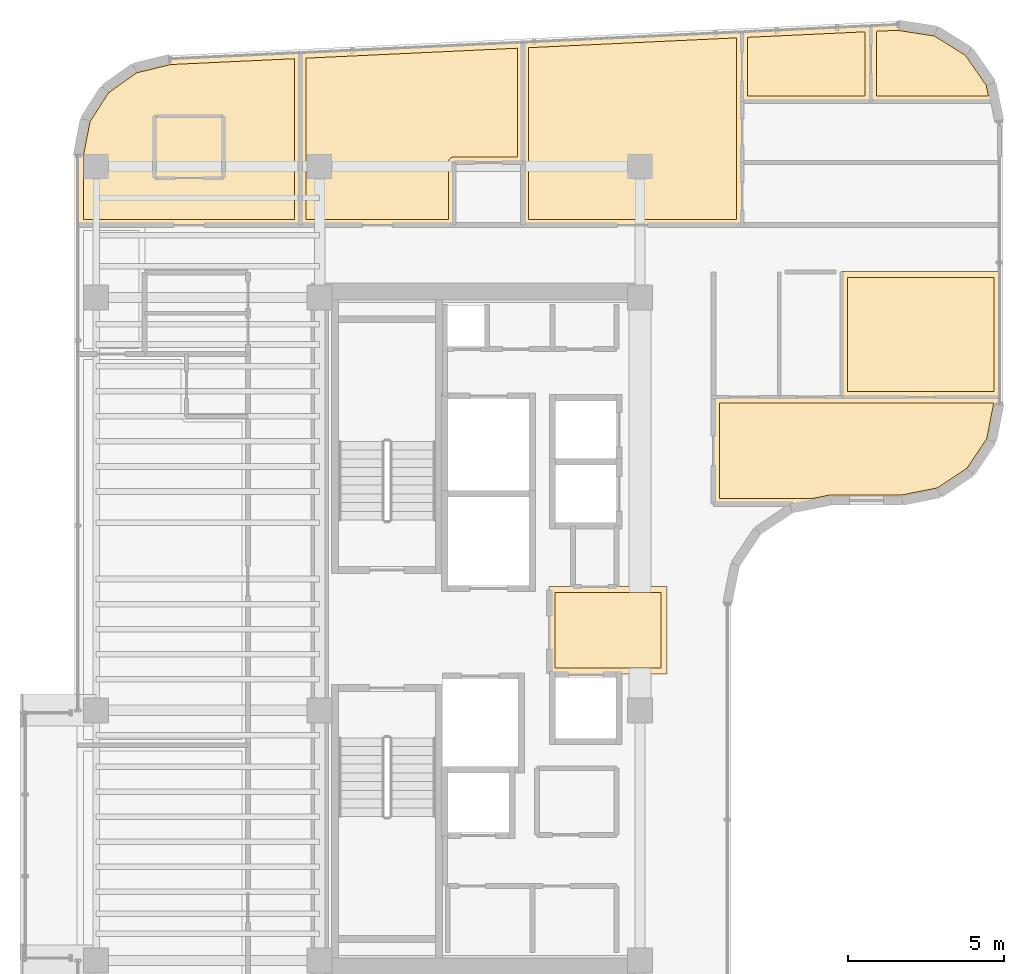
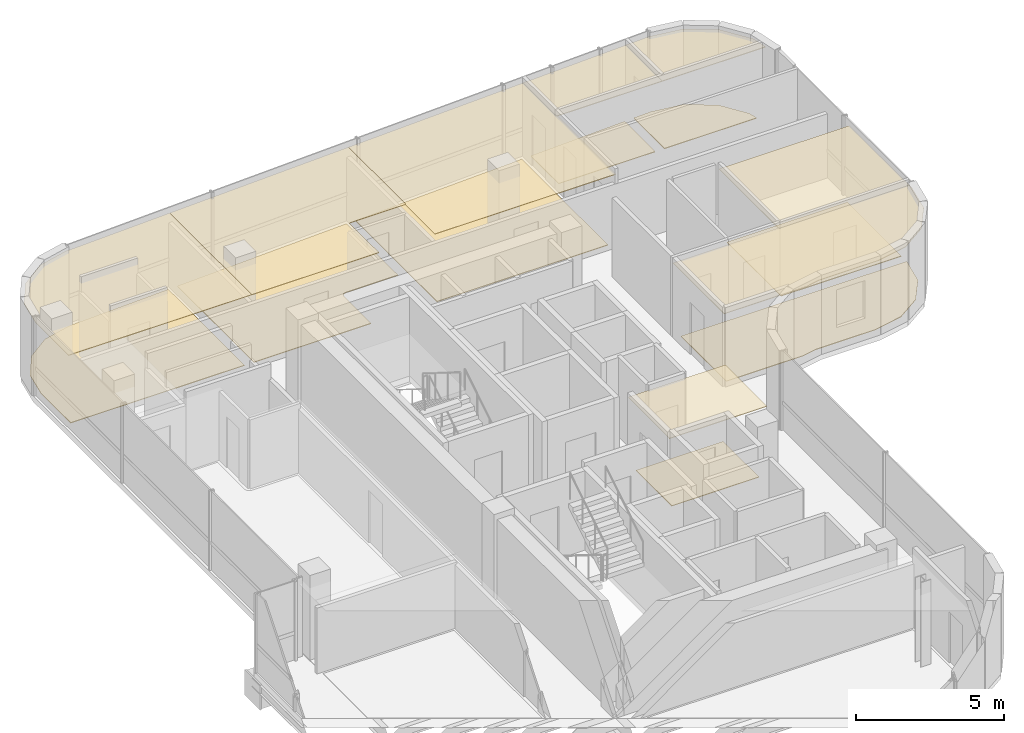
# One storey, part 19 of 19: 16 coverings.
"""IFC4 building model written with IfcOpenShell, lengths in metres."""

from ifc_helpers import new_model, si_unit, direction, frame, origin, place, context, subcontext, project, spatial, polyline, outline, extrude, material, layer, layer_set, type_object, element, save


model = new_model("IFC4")

# Units and contexts
model_context = context("Model", 3, precision=1e-05, world=origin(), true_north=direction((0.0, 1.0)))
body_context = subcontext(model_context, "Body", "Model", "MODEL_VIEW")
ifc_project = project(units=[si_unit("LENGTHUNIT", "METRE"), si_unit("AREAUNIT", "SQUARE_METRE"), si_unit("VOLUMEUNIT", "CUBIC_METRE"), si_unit("PLANEANGLEUNIT", "RADIAN"), si_unit("MASSUNIT", "GRAM", prefix="KILO")], contexts=[model_context])

# Site, building, storey
site_placement = place(None, origin())
site = spatial("IfcSite", under=ifc_project, at=site_placement, CompositionType="ELEMENT")
building_placement = place(site_placement, origin())
building = spatial("IfcBuilding", under=site, at=building_placement, Name="Valdorenza Pilgrim Sanctuary Tower", CompositionType="ELEMENT")
storey_placement = place(building_placement, frame((0.0, 0.0, 266.0)))
storey = spatial("IfcBuildingStorey", under=building, at=storey_placement, Name="L69", CompositionType="ELEMENT", Elevation=266.0)

# Coverings
ifc_material_1 = material(Name="Micro-perforated acoustic mineral ceiling tile", Category="gypsum")
ifc_layer_1 = layer(ifc_material_1, 0.02490234375, Name="Micro-perforated acoustic mineral ceiling tile")
ifc_layer_set_1 = layer_set([ifc_layer_1], Name="Micro-perforated acoustic mineral ceiling tile")
covering_type_1 = type_object("IfcCoveringType", Name="COV-CLG-ACU", PredefinedType="CEILING", material=ifc_layer_set_1)
covering_1_placement = place(storey_placement, frame((0.0, 0.0, 2.9599609375)))
element("IfcCovering", 1, at=covering_1_placement, inside=storey, type_object=covering_type_1, Name="L69 Core A Passenger Lift Lobby Acoustic Ceiling", PredefinedType="CEILING", context=body_context, shape_type="SweptSolid", body=[
    extrude(outline(polyline([(-15.31494140625, 1.35009765625), (-15.31494140625, 1.3515625), (-15.314697265625, 1.352783203125), (-15.314453125, 1.3544921875), (-15.31396484375, 1.355712890625), (-15.313232421875, 1.357177734375), (-15.3125, 1.3583984375), (-15.3115234375, 1.359619140625), (-15.310546875, 1.360595703125), (-15.3095703125, 1.361572265625), (-15.308349609375, 1.362548828125), (-15.30712890625, 1.36328125), (-15.3056640625, 1.364013671875), (-15.304443359375, 1.364501953125), (-15.302978515625, 1.36474609375), (-15.301513671875, 1.364990234375), (-15.300048828125, 1.364990234375), (-11.550048828125, 1.364990234375), (-11.548583984375, 1.364990234375), (-11.547119140625, 1.36474609375), (-11.545654296875, 1.364501953125), (-11.544189453125, 1.364013671875), (-11.54296875, 1.36328125), (-11.541748046875, 1.362548828125), (-11.54052734375, 1.361572265625), (-11.539306640625, 1.360595703125), (-11.538330078125, 1.359619140625), (-11.53759765625, 1.3583984375), (-11.536865234375, 1.357177734375), (-11.5361328125, 1.355712890625), (-11.53564453125, 1.3544921875), (-11.535400390625, 1.352783203125), (-11.53515625, 1.3515625), (-11.534912109375, 1.35009765625), (-11.534912109375, -1.419921875), (-11.53515625, -1.42138671875), (-11.535400390625, -1.4228515625), (-11.53564453125, -1.42431640625), (-11.5361328125, -1.42578125), (-11.536865234375, -1.427001953125), (-11.53759765625, -1.42822265625), (-11.538330078125, -1.429443359375), (-11.539306640625, -1.4306640625), (-11.54052734375, -1.431640625), (-11.541748046875, -1.4326171875), (-11.54296875, -1.43310546875), (-11.544189453125, -1.433837890625), (-11.545654296875, -1.434326171875), (-11.547119140625, -1.434814453125), (-11.548583984375, -1.434814453125), (-11.550048828125, -1.43505859375), (-15.298095703125, -1.43505859375), (-15.299560546875, -1.434814453125), (-15.30078125, -1.434814453125), (-15.302490234375, -1.434326171875), (-15.3037109375, -1.433837890625), (-15.30517578125, -1.43310546875), (-15.306396484375, -1.4326171875), (-15.3076171875, -1.431640625), (-15.30859375, -1.4306640625), (-15.3095703125, -1.429443359375), (-15.310546875, -1.42822265625), (-15.311279296875, -1.427001953125), (-15.31201171875, -1.42578125), (-15.3125, -1.42431640625), (-15.312744140625, -1.4228515625), (-15.31298828125, -1.42138671875), (-15.31298828125, -1.419921875), (-15.31298828125, 1.244384765625), (-15.31298828125, 1.24462890625), (-15.313720703125, 1.24609375), (-15.314208984375, 1.24755859375), (-15.314697265625, 1.2490234375), (-15.31494140625, 1.25048828125), (-15.31494140625, 1.251953125), (-15.31494140625, 1.35009765625)])), origin(), (0.0, 0.0, 1.0), 0.025146484375),
])
covering_2_placement = place(storey_placement, frame((0.0, 0.0, 2.9599609375)))
element("IfcCovering", 2, at=covering_2_placement, inside=storey, type_object=covering_type_1, Name="L69 North Family Guest Room L69-N1A Acoustic Ceiling", PredefinedType="CEILING", context=body_context, shape_type="SweptSolid", body=[
    extrude(outline(polyline([(-30.181396484375, 16.298095703125), (-30.180908203125, 16.299560546875), (-30.180419921875, 16.30078125), (-30.179931640625, 16.30224609375), (-30.17919921875, 16.303466796875), (-29.547119140625, 17.286865234375), (-29.546142578125, 17.2880859375), (-29.545166015625, 17.2890625), (-29.544189453125, 17.2900390625), (-29.54296875, 17.291015625), (-28.59033203125, 17.968994140625), (-28.589111328125, 17.9697265625), (-28.587890625, 17.97021484375), (-28.586669921875, 17.970947265625), (-28.585205078125, 17.97119140625), (-27.438720703125, 18.248779296875), (-27.437255859375, 18.249267578125), (-27.435791015625, 18.249267578125), (-23.270751953125, 18.445556640625), (-23.269287109375, 18.445556640625), (-23.267578125, 18.445556640625), (-23.26611328125, 18.4453125), (-23.264892578125, 18.444580078125), (-23.263427734375, 18.444091796875), (-23.261962890625, 18.443359375), (-23.2607421875, 18.4423828125), (-23.259521484375, 18.44140625), (-23.258544921875, 18.4404296875), (-23.2578125, 18.439208984375), (-23.2568359375, 18.43798828125), (-23.256103515625, 18.4365234375), (-23.255615234375, 18.43505859375), (-23.25537109375, 18.43359375), (-23.255126953125, 18.43212890625), (-23.2548828125, 18.4306640625), (-23.2548828125, 12.919921875), (-23.255126953125, 12.91845703125), (-23.25537109375, 12.9169921875), (-23.255615234375, 12.91552734375), (-23.256103515625, 12.914306640625), (-23.2568359375, 12.912841796875), (-23.257568359375, 12.91162109375), (-23.25830078125, 12.910400390625), (-23.259521484375, 12.909423828125), (-23.260498046875, 12.908447265625), (-23.26171875, 12.907470703125), (-23.262939453125, 12.90673828125), (-23.264404296875, 12.906005859375), (-23.265625, 12.905517578125), (-23.26708984375, 12.9052734375), (-23.2685546875, 12.905029296875), (-23.27001953125, 12.905029296875), (-28.248046875, 12.905029296875), (-28.24951171875, 12.905029296875), (-28.250732421875, 12.9052734375), (-28.252197265625, 12.905517578125), (-28.253662109375, 12.906005859375), (-28.2548828125, 12.90673828125), (-28.25537109375, 12.906982421875), (-30.389892578125, 12.906982421875), (-30.3916015625, 12.906982421875), (-30.392822265625, 12.9072265625), (-30.394287109375, 12.90771484375), (-30.395751953125, 12.908203125), (-30.397216796875, 12.90869140625), (-30.398193359375, 12.909423828125), (-30.3994140625, 12.910400390625), (-30.400634765625, 12.911376953125), (-30.401611328125, 12.91259765625), (-30.402587890625, 12.913818359375), (-30.4033203125, 12.914794921875), (-30.40380859375, 12.916259765625), (-30.404296875, 12.91748046875), (-30.40478515625, 12.919189453125), (-30.40478515625, 12.92041015625), (-30.405029296875, 12.922119140625), (-30.405029296875, 15.13671875), (-30.40478515625, 15.13818359375), (-30.40478515625, 15.1396484375), (-30.181396484375, 16.298095703125)])), origin(), (0.0, 0.0, 1.0), 0.025146484375),
])
covering_3_placement = place(storey_placement, frame((0.0, 0.0, 2.9599609375)))
element("IfcCovering", 3, at=covering_3_placement, inside=storey, type_object=covering_type_1, Name="L69 North Family Guest Room L69-N1B Acoustic Ceiling", PredefinedType="CEILING", context=body_context, shape_type="SweptSolid", body=[
    extrude(outline(polyline([(-23.282958984375, 18.4306640625), (-23.282958984375, 18.431396484375), (-23.28271484375, 18.432861328125), (-23.28271484375, 18.434326171875), (-23.281982421875, 18.435791015625), (-23.281494140625, 18.437255859375), (-23.281005859375, 18.4384765625), (-23.280029296875, 18.439697265625), (-23.279052734375, 18.44091796875), (-23.278076171875, 18.44189453125), (-23.27685546875, 18.44287109375), (-23.275634765625, 18.443603515625), (-23.2744140625, 18.4443359375), (-23.27294921875, 18.44482421875), (-23.271484375, 18.4453125), (-23.270263671875, 18.445556640625), (-23.268798828125, 18.44580078125), (-16.15087890625, 18.78125), (-16.150146484375, 18.78125), (-16.14990234375, 18.78125), (-16.1484375, 18.78125), (-16.147216796875, 18.781005859375), (-16.1455078125, 18.78076171875), (-16.144287109375, 18.7802734375), (-16.142822265625, 18.779541015625), (-16.1416015625, 18.77880859375), (-16.140380859375, 18.77783203125), (-16.139404296875, 18.77685546875), (-16.138427734375, 18.77587890625), (-16.137451171875, 18.774658203125), (-16.13671875, 18.7734375), (-16.135986328125, 18.77197265625), (-16.135498046875, 18.770751953125), (-16.13525390625, 18.769287109375), (-16.135009765625, 18.767822265625), (-16.135009765625, 18.766357421875), (-16.135009765625, 14.922119140625), (-16.135009765625, 14.92041015625), (-16.13525390625, 14.919189453125), (-16.135498046875, 14.91748046875), (-16.135986328125, 14.916259765625), (-16.13671875, 14.914794921875), (-16.137451171875, 14.913818359375), (-16.138427734375, 14.91259765625), (-16.139404296875, 14.911376953125), (-16.140380859375, 14.910400390625), (-16.1416015625, 14.909423828125), (-16.142822265625, 14.90869140625), (-16.144287109375, 14.908203125), (-16.1455078125, 14.90771484375), (-16.147216796875, 14.9072265625), (-16.1484375, 14.906982421875), (-16.14990234375, 14.906982421875), (-18.3369140625, 14.906982421875), (-18.3369140625, 12.919921875), (-18.337158203125, 12.91845703125), (-18.33740234375, 12.9169921875), (-18.337646484375, 12.91552734375), (-18.338134765625, 12.914306640625), (-18.3388671875, 12.912841796875), (-18.339599609375, 12.91162109375), (-18.34033203125, 12.910400390625), (-18.34130859375, 12.909423828125), (-18.342529296875, 12.908447265625), (-18.34375, 12.907470703125), (-18.344970703125, 12.90673828125), (-18.34619140625, 12.906005859375), (-18.34765625, 12.905517578125), (-18.34912109375, 12.9052734375), (-18.3505859375, 12.905029296875), (-18.35205078125, 12.905029296875), (-23.26806640625, 12.905029296875), (-23.26953125, 12.905029296875), (-23.27099609375, 12.9052734375), (-23.2724609375, 12.905517578125), (-23.273681640625, 12.906005859375), (-23.275146484375, 12.90673828125), (-23.2763671875, 12.907470703125), (-23.277587890625, 12.908447265625), (-23.278564453125, 12.909423828125), (-23.279541015625, 12.910400390625), (-23.280517578125, 12.91162109375), (-23.28125, 12.912841796875), (-23.281982421875, 12.914306640625), (-23.282470703125, 12.91552734375), (-23.28271484375, 12.9169921875), (-23.282958984375, 12.91845703125), (-23.282958984375, 12.919921875), (-23.282958984375, 18.4306640625), (-23.282958984375, 18.4306640625)])), origin(), (0.0, 0.0, 1.0), 0.025146484375),
])
covering_4_placement = place(storey_placement, frame((0.0, 0.0, 2.9599609375)))
element("IfcCovering", 4, at=covering_4_placement, inside=storey, type_object=covering_type_1, Name="L69 North Family Flat L69-N2 Bedroom 1 Acoustic Ceiling", PredefinedType="CEILING", context=body_context, shape_type="SweptSolid", body=[
    extrude(outline(polyline([(-9.1396484375, 16.85498046875), (-9.14111328125, 16.85498046875), (-9.142578125, 16.855224609375), (-9.14404296875, 16.855712890625), (-9.145263671875, 16.856201171875), (-9.146728515625, 16.856689453125), (-9.14794921875, 16.857421875), (-9.149169921875, 16.8583984375), (-9.150146484375, 16.859375), (-9.151123046875, 16.860595703125), (-9.152099609375, 16.86181640625), (-9.15283203125, 16.86279296875), (-9.153564453125, 16.8642578125), (-9.154052734375, 16.865478515625), (-9.154296875, 16.8671875), (-9.154541015625, 16.868408203125), (-9.154541015625, 16.8701171875), (-9.154541015625, 19.0966796875), (-9.154541015625, 19.09814453125), (-9.154296875, 19.099609375), (-9.154052734375, 19.10107421875), (-9.153564453125, 19.102294921875), (-9.15283203125, 19.103759765625), (-9.152099609375, 19.10498046875), (-9.1513671875, 19.106201171875), (-9.150390625, 19.107177734375), (-9.1494140625, 19.108154296875), (-9.148193359375, 19.10888671875), (-9.147216796875, 19.10986328125), (-9.145751953125, 19.1103515625), (-9.14453125, 19.111083984375), (-9.14306640625, 19.111328125), (-9.1416015625, 19.111572265625), (-9.140380859375, 19.11181640625), (-5.025390625, 19.305908203125), (-5.02392578125, 19.3056640625), (-5.0224609375, 19.3056640625), (-5.02099609375, 19.305419921875), (-5.01953125, 19.3046875), (-5.018310546875, 19.30419921875), (-5.016845703125, 19.303466796875), (-5.015625, 19.302490234375), (-5.014404296875, 19.301513671875), (-5.013427734375, 19.300537109375), (-5.012451171875, 19.29931640625), (-5.01171875, 19.298095703125), (-5.010986328125, 19.296630859375), (-5.010498046875, 19.29541015625), (-5.010009765625, 19.293701171875), (-5.010009765625, 19.292236328125), (-5.009765625, 19.290771484375), (-5.009765625, 16.8701171875), (-5.010009765625, 16.868408203125), (-5.010009765625, 16.8671875), (-5.010498046875, 16.865478515625), (-5.010986328125, 16.8642578125), (-5.01171875, 16.86279296875), (-5.01220703125, 16.86181640625), (-5.01318359375, 16.860595703125), (-5.01416015625, 16.859375), (-5.015380859375, 16.8583984375), (-5.0166015625, 16.857421875), (-5.017578125, 16.856689453125), (-5.01904296875, 16.856201171875), (-5.0205078125, 16.855712890625), (-5.02197265625, 16.855224609375), (-5.023193359375, 16.85498046875), (-5.02490234375, 16.85498046875), (-9.1396484375, 16.85498046875)])), origin(), (0.0, 0.0, 1.0), 0.025146484375),
])
covering_5_placement = place(storey_placement, frame((0.0, 0.0, 2.9599609375)))
element("IfcCovering", 5, at=covering_5_placement, inside=storey, type_object=covering_type_1, Name="L69 North Family Flat L69-N2 Bedroom 2 Acoustic Ceiling", PredefinedType="CEILING", context=body_context, shape_type="SweptSolid", body=[
    extrude(outline(polyline([(-5.037841796875, 19.290771484375), (-5.037841796875, 19.29150390625), (-5.03759765625, 19.293212890625), (-5.037353515625, 19.29443359375), (-5.036865234375, 19.2958984375), (-5.036376953125, 19.29736328125), (-5.03564453125, 19.298583984375), (-5.034912109375, 19.2998046875), (-5.033935546875, 19.30078125), (-5.032958984375, 19.302001953125), (-5.03173828125, 19.302978515625), (-5.030517578125, 19.3037109375), (-5.029296875, 19.304443359375), (-5.02783203125, 19.304931640625), (-5.0263671875, 19.305419921875), (-5.02490234375, 19.3056640625), (-5.0234375, 19.305908203125), (-4.157470703125, 19.3466796875), (-4.156005859375, 19.3466796875), (-4.154296875, 19.346435546875), (-2.91748046875, 19.153076171875), (-2.916015625, 19.152587890625), (-2.91455078125, 19.15234375), (-2.9130859375, 19.151611328125), (-2.911865234375, 19.15087890625), (-1.860595703125, 18.492431640625), (-1.859619140625, 18.49169921875), (-1.8583984375, 18.490478515625), (-1.857421875, 18.489501953125), (-1.8564453125, 18.48828125), (-1.149169921875, 17.46923828125), (-1.148193359375, 17.468017578125), (-1.147705078125, 17.466552734375), (-1.147216796875, 17.465087890625), (-1.146728515625, 17.463623046875), (-1.025634765625, 16.873046875), (-1.025390625, 16.87158203125), (-1.025390625, 16.8701171875), (-1.025390625, 16.86865234375), (-1.025634765625, 16.8671875), (-1.02587890625, 16.86572265625), (-1.0263671875, 16.8642578125), (-1.027099609375, 16.863037109375), (-1.02783203125, 16.86181640625), (-1.02880859375, 16.860595703125), (-1.02978515625, 16.859375), (-1.03076171875, 16.8583984375), (-1.031982421875, 16.857421875), (-1.033203125, 16.856689453125), (-1.03466796875, 16.856201171875), (-1.035888671875, 16.855712890625), (-1.037353515625, 16.855224609375), (-1.038818359375, 16.85498046875), (-1.040283203125, 16.85498046875), (-5.022705078125, 16.85498046875), (-5.0244140625, 16.85498046875), (-5.025634765625, 16.855224609375), (-5.027099609375, 16.855712890625), (-5.028564453125, 16.856201171875), (-5.02978515625, 16.856689453125), (-5.031005859375, 16.857421875), (-5.0322265625, 16.8583984375), (-5.033447265625, 16.859375), (-5.034423828125, 16.860595703125), (-5.035400390625, 16.86181640625), (-5.035888671875, 16.86279296875), (-5.03662109375, 16.8642578125), (-5.037109375, 16.865478515625), (-5.03759765625, 16.8671875), (-5.03759765625, 16.868408203125), (-5.037841796875, 16.8701171875), (-5.037841796875, 19.290771484375), (-5.037841796875, 19.290771484375)])), origin(), (0.0, 0.0, 1.0), 0.025146484375),
])
covering_6_placement = place(storey_placement, frame((0.0, 0.0, 2.9599609375)))
element("IfcCovering", 6, at=covering_6_placement, inside=storey, type_object=covering_type_1, Name="L69 North Family Flat L69-N2 Living Room Acoustic Ceiling", PredefinedType="CEILING", context=body_context, shape_type="SweptSolid", body=[
    extrude(outline(polyline([(-16.1630859375, 14.918212890625), (-16.1630859375, 14.9189453125), (-16.163330078125, 14.92041015625), (-16.1630859375, 14.922119140625), (-16.1630859375, 14.923583984375), (-16.1630859375, 14.923828125), (-16.1630859375, 18.766357421875), (-16.1630859375, 18.766357421875), (-16.1630859375, 18.76708984375), (-16.162841796875, 18.7685546875), (-16.16259765625, 18.77001953125), (-16.162109375, 18.771484375), (-16.16162109375, 18.772705078125), (-16.160888671875, 18.774169921875), (-16.159912109375, 18.775390625), (-16.1591796875, 18.776611328125), (-16.158203125, 18.777587890625), (-16.156982421875, 18.778564453125), (-16.15576171875, 18.779296875), (-16.154296875, 18.780029296875), (-16.153076171875, 18.780517578125), (-16.151611328125, 18.781005859375), (-16.150146484375, 18.78125), (-16.148681640625, 18.781494140625), (-9.142333984375, 19.11181640625), (-9.140869140625, 19.11181640625), (-9.139404296875, 19.111572265625), (-9.1376953125, 19.111083984375), (-9.136474609375, 19.11083984375), (-9.135009765625, 19.110107421875), (-9.133544921875, 19.109375), (-9.13232421875, 19.1083984375), (-9.131103515625, 19.107666015625), (-9.130126953125, 19.1064453125), (-9.12939453125, 19.105224609375), (-9.12841796875, 19.10400390625), (-9.127685546875, 19.1025390625), (-9.127197265625, 19.101318359375), (-9.126953125, 19.099609375), (-9.126708984375, 19.09814453125), (-9.126708984375, 19.0966796875), (-9.126708984375, 16.87548828125), (-9.126220703125, 16.875), (-9.125732421875, 16.87353515625), (-9.125244140625, 16.872314453125), (-9.125, 16.870849609375), (-9.124755859375, 16.869384765625), (-9.12451171875, 16.867919921875), (-9.12451171875, 12.919921875), (-9.124755859375, 12.91845703125), (-9.125, 12.9169921875), (-9.125244140625, 12.91552734375), (-9.125732421875, 12.914306640625), (-9.12646484375, 12.912841796875), (-9.127197265625, 12.91162109375), (-9.1279296875, 12.910400390625), (-9.12890625, 12.909423828125), (-9.130126953125, 12.908447265625), (-9.13134765625, 12.907470703125), (-9.132568359375, 12.90673828125), (-9.1337890625, 12.906005859375), (-9.13525390625, 12.905517578125), (-9.13671875, 12.9052734375), (-9.13818359375, 12.905029296875), (-9.1396484375, 12.905029296875), (-16.14794921875, 12.905029296875), (-16.1494140625, 12.905029296875), (-16.15087890625, 12.9052734375), (-16.15234375, 12.905517578125), (-16.15380859375, 12.906005859375), (-16.155029296875, 12.90673828125), (-16.15625, 12.907470703125), (-16.157470703125, 12.908447265625), (-16.15869140625, 12.909423828125), (-16.15966796875, 12.910400390625), (-16.160400390625, 12.91162109375), (-16.1611328125, 12.912841796875), (-16.161865234375, 12.914306640625), (-16.162353515625, 12.91552734375), (-16.16259765625, 12.9169921875), (-16.162841796875, 12.91845703125), (-16.1630859375, 12.919921875), (-16.1630859375, 14.918212890625)])), origin(), (0.0, 0.0, 1.0), 0.025146484375),
])
covering_7_placement = place(storey_placement, frame((0.0, 0.0, 2.9599609375)))
element("IfcCovering", 7, at=covering_7_placement, inside=storey, type_object=covering_type_1, Name="L69 East Sanctuary Apartment L69-E1 Bedroom Acoustic Ceiling", PredefinedType="CEILING", context=body_context, shape_type="SweptSolid", body=[
    extrude(outline(polyline([(-5.965087890625, 11.419921875), (-5.96484375, 11.42138671875), (-5.964599609375, 11.4228515625), (-5.96435546875, 11.42431640625), (-5.9638671875, 11.42578125), (-5.963134765625, 11.427001953125), (-5.96240234375, 11.42822265625), (-5.961669921875, 11.429443359375), (-5.960693359375, 11.4306640625), (-5.95947265625, 11.431640625), (-5.958251953125, 11.4326171875), (-5.95703125, 11.43310546875), (-5.955810546875, 11.433837890625), (-5.954345703125, 11.434326171875), (-5.952880859375, 11.434814453125), (-5.951416015625, 11.434814453125), (-5.949951171875, 11.43505859375), (-0.909912109375, 11.43505859375), (-0.908447265625, 11.434814453125), (-0.906982421875, 11.434814453125), (-0.905517578125, 11.434326171875), (-0.904296875, 11.433837890625), (-0.90283203125, 11.43310546875), (-0.901611328125, 11.4326171875), (-0.900390625, 11.431640625), (-0.8994140625, 11.4306640625), (-0.8984375, 11.429443359375), (-0.8974609375, 11.42822265625), (-0.896728515625, 11.427001953125), (-0.89599609375, 11.42578125), (-0.8955078125, 11.42431640625), (-0.895263671875, 11.4228515625), (-0.89501953125, 11.42138671875), (-0.89501953125, 11.419921875), (-0.89501953125, 7.4130859375), (-0.89501953125, 7.41162109375), (-0.895263671875, 7.410400390625), (-0.8955078125, 7.40869140625), (-0.89599609375, 7.407470703125), (-0.896728515625, 7.406005859375), (-0.8974609375, 7.40478515625), (-0.8984375, 7.40380859375), (-0.8994140625, 7.402587890625), (-0.900390625, 7.401611328125), (-0.901611328125, 7.400634765625), (-0.90283203125, 7.39990234375), (-0.904296875, 7.3994140625), (-0.905517578125, 7.398681640625), (-0.906982421875, 7.3984375), (-0.908447265625, 7.398193359375), (-0.909912109375, 7.398193359375), (-5.949951171875, 7.398193359375), (-5.951416015625, 7.398193359375), (-5.952880859375, 7.3984375), (-5.954345703125, 7.398681640625), (-5.955810546875, 7.3994140625), (-5.95703125, 7.39990234375), (-5.958251953125, 7.400634765625), (-5.95947265625, 7.401611328125), (-5.960693359375, 7.402587890625), (-5.961669921875, 7.40380859375), (-5.96240234375, 7.40478515625), (-5.963134765625, 7.406005859375), (-5.9638671875, 7.407470703125), (-5.96435546875, 7.40869140625), (-5.964599609375, 7.410400390625), (-5.96484375, 7.41162109375), (-5.965087890625, 7.4130859375), (-5.965087890625, 11.419921875)])), origin(), (0.0, 0.0, 1.0), 0.025146484375),
])
covering_8_placement = place(storey_placement, frame((0.0, 0.0, 2.9599609375)))
element("IfcCovering", 8, at=covering_8_placement, inside=storey, type_object=covering_type_1, Name="L69 East Sanctuary Apartment L69-E1 Living Room Acoustic Ceiling", PredefinedType="CEILING", context=body_context, shape_type="SweptSolid", body=[
    extrude(outline(polyline([(-10.06494140625, 7.4130859375), (-10.06494140625, 7.414794921875), (-10.064697265625, 7.416015625), (-10.064453125, 7.41748046875), (-10.06396484375, 7.4189453125), (-10.063232421875, 7.42041015625), (-10.0625, 7.42138671875), (-10.0615234375, 7.422607421875), (-10.060546875, 7.423828125), (-10.0595703125, 7.4248046875), (-10.058349609375, 7.42578125), (-10.05712890625, 7.426513671875), (-10.0556640625, 7.427001953125), (-10.054443359375, 7.427490234375), (-10.052978515625, 7.427978515625), (-10.051513671875, 7.427978515625), (-10.050048828125, 7.42822265625), (-5.951904296875, 7.42822265625), (-5.95068359375, 7.427978515625), (-5.94921875, 7.427978515625), (-5.94775390625, 7.427490234375), (-5.9462890625, 7.427001953125), (-5.945068359375, 7.426513671875), (-5.944580078125, 7.42626953125), (-0.909912109375, 7.42626953125), (-0.908447265625, 7.426025390625), (-0.906982421875, 7.42578125), (-0.905517578125, 7.425537109375), (-0.904296875, 7.425048828125), (-0.90283203125, 7.42431640625), (-0.901611328125, 7.423583984375), (-0.900390625, 7.4228515625), (-0.8994140625, 7.421875), (-0.8984375, 7.420654296875), (-0.8974609375, 7.41943359375), (-0.896728515625, 7.418212890625), (-0.89599609375, 7.4169921875), (-0.8955078125, 7.41552734375), (-0.895263671875, 7.4140625), (-0.89501953125, 7.41259765625), (-0.89501953125, 7.4111328125), (-0.89501953125, 7.210693359375), (-0.89501953125, 7.20947265625), (-0.895263671875, 7.2080078125), (-1.132568359375, 6.015380859375), (-1.1328125, 6.013916015625), (-1.13330078125, 6.0126953125), (-1.134033203125, 6.01123046875), (-1.134765625, 6.010009765625), (-1.80419921875, 5.00830078125), (-1.804931640625, 5.007080078125), (-1.805908203125, 5.006103515625), (-1.80712890625, 5.0048828125), (-1.808349609375, 5.004150390625), (-2.81005859375, 4.334716796875), (-2.811279296875, 4.333984375), (-2.8125, 4.33349609375), (-2.81396484375, 4.3330078125), (-2.8154296875, 4.33251953125), (-4.0078125, 4.09521484375), (-4.009521484375, 4.09521484375), (-4.0107421875, 4.094970703125), (-6.299560546875, 4.094970703125), (-6.309326171875, 4.094482421875), (-6.31884765625, 4.093017578125), (-6.86083984375, 3.9853515625), (-6.8623046875, 3.985107421875), (-6.86376953125, 3.985107421875), (-10.050048828125, 3.985107421875), (-10.051513671875, 3.985107421875), (-10.052978515625, 3.9853515625), (-10.054443359375, 3.985595703125), (-10.0556640625, 3.986083984375), (-10.05712890625, 3.98681640625), (-10.058349609375, 3.987548828125), (-10.0595703125, 3.98828125), (-10.060546875, 3.989501953125), (-10.0615234375, 3.990478515625), (-10.0625, 3.99169921875), (-10.063232421875, 3.992919921875), (-10.06396484375, 3.994384765625), (-10.064453125, 3.99560546875), (-10.064697265625, 3.9970703125), (-10.06494140625, 3.99853515625), (-10.06494140625, 4.0), (-10.06494140625, 7.4130859375)])), origin(), (0.0, 0.0, 1.0), 0.025146484375),
])
ifc_material_2 = material(Name="Engineered European oak timber flooring", Category="wood")
ifc_layer_2 = layer(ifc_material_2, 0.02197265625, Name="Engineered European oak timber flooring")
ifc_layer_set_2 = layer_set([ifc_layer_2], Name="Engineered European oak timber flooring")
covering_type_2 = type_object("IfcCoveringType", Name="COV-FLR-OAK", PredefinedType="FLOORING", material=ifc_layer_set_2)
covering_9_placement = place(storey_placement, origin())
element("IfcCovering", 9, at=covering_9_placement, inside=storey, type_object=covering_type_2, Name="L69 North Family Guest Room L69-N1A Flooring", PredefinedType="FLOORING", context=body_context, shape_type="SweptSolid", body=[
    extrude(outline(polyline([(-29.996337890625, 16.227294921875), (-29.401611328125, 17.152099609375), (-28.505615234375, 17.789794921875), (-27.409423828125, 18.055419921875), (-23.449951171875, 18.241943359375), (-23.449951171875, 13.10009765625), (-28.22314453125, 13.10009765625), (-28.22314453125, 13.10009765625), (-28.223388671875, 13.10009765625), (-28.240966796875, 13.101806640625), (-28.2412109375, 13.101806640625), (-28.25, 13.10205078125), (-30.2099609375, 13.10205078125), (-30.2099609375, 15.11962890625), (-29.996337890625, 16.227294921875)])), origin(), (0.0, 0.0, 1.0), 0.02490234375),
])
covering_10_placement = place(storey_placement, origin())
element("IfcCovering", 10, at=covering_10_placement, inside=storey, type_object=covering_type_2, Name="L69 North Family Guest Room L69-N1B Flooring", PredefinedType="FLOORING", context=body_context, shape_type="SweptSolid", body=[
    extrude(outline(polyline([(-16.330078125, 18.57763671875), (-16.330078125, 15.10205078125), (-18.35009765625, 15.10205078125), (-18.35888671875, 15.101806640625), (-18.35888671875, 15.101806640625), (-18.376708984375, 15.10009765625), (-18.376708984375, 15.10009765625), (-18.39404296875, 15.0966796875), (-18.394287109375, 15.096435546875), (-18.4111328125, 15.09130859375), (-18.411376953125, 15.09130859375), (-18.427734375, 15.084716796875), (-18.427978515625, 15.08447265625), (-18.443603515625, 15.076171875), (-18.443603515625, 15.076171875), (-18.458251953125, 15.066162109375), (-18.45849609375, 15.066162109375), (-18.47216796875, 15.054931640625), (-18.472412109375, 15.0546875), (-18.48486328125, 15.042236328125), (-18.48486328125, 15.0419921875), (-18.49609375, 15.028564453125), (-18.49609375, 15.0283203125), (-18.506103515625, 15.013671875), (-18.506103515625, 15.013427734375), (-18.514404296875, 14.997802734375), (-18.5146484375, 14.997802734375), (-18.521240234375, 14.9814453125), (-18.521484375, 14.981201171875), (-18.526611328125, 14.96435546875), (-18.526611328125, 14.964111328125), (-18.530029296875, 14.94677734375), (-18.530029296875, 14.946533203125), (-18.53173828125, 14.928955078125), (-18.53173828125, 14.9287109375), (-18.531982421875, 14.919921875), (-18.531982421875, 13.10009765625), (-23.087890625, 13.10009765625), (-23.087890625, 18.259033203125), (-16.330078125, 18.57763671875)])), origin(), (0.0, 0.0, 1.0), 0.02490234375),
])
covering_11_placement = place(storey_placement, origin())
element("IfcCovering", 11, at=covering_11_placement, inside=storey, type_object=covering_type_2, Name="L69 North Family Flat L69-N2 Bedroom 1 Flooring", PredefinedType="FLOORING", context=body_context, shape_type="SweptSolid", body=[
    extrude(outline(polyline([(-8.959716796875, 17.050048828125), (-8.959716796875, 18.925048828125), (-5.204833984375, 19.10205078125), (-5.204833984375, 17.050048828125), (-8.959716796875, 17.050048828125)])), origin(), (0.0, 0.0, 1.0), 0.02490234375),
])
covering_12_placement = place(storey_placement, origin())
element("IfcCovering", 12, at=covering_12_placement, inside=storey, type_object=covering_type_2, Name="L69 North Family Flat L69-N2 Bedroom 2 Flooring", PredefinedType="FLOORING", context=body_context, shape_type="SweptSolid", body=[
    extrude(outline(polyline([(-4.16650390625, 19.15087890625), (-2.984130859375, 18.966064453125), (-1.99560546875, 18.3466796875), (-1.330322265625, 17.388427734375), (-1.260986328125, 17.050048828125), (-4.8427734375, 17.050048828125), (-4.8427734375, 19.119140625), (-4.16650390625, 19.15087890625)])), origin(), (0.0, 0.0, 1.0), 0.02490234375),
])
covering_13_placement = place(storey_placement, origin())
element("IfcCovering", 13, at=covering_13_placement, inside=storey, type_object=covering_type_2, Name="L69 North Family Flat L69-N2 Living Room Flooring", PredefinedType="FLOORING", context=body_context, shape_type="SweptSolid", body=[
    extrude(outline(polyline([(-15.968017578125, 14.921630859375), (-15.968017578125, 14.922119140625), (-15.968017578125, 18.594482421875), (-9.321533203125, 18.907958984375), (-9.321533203125, 16.8701171875), (-9.319580078125, 13.10009765625), (-15.968017578125, 13.10009765625), (-15.968017578125, 14.919921875), (-15.968017578125, 14.9208984375), (-15.968017578125, 14.921630859375)])), origin(), (0.0, 0.0, 1.0), 0.02490234375),
])
covering_14_placement = place(storey_placement, origin())
element("IfcCovering", 14, at=covering_14_placement, inside=storey, type_object=covering_type_2, Name="L69 East Sanctuary Apartment L69-E1 Bedroom Flooring", PredefinedType="FLOORING", context=body_context, shape_type="SweptSolid", body=[
    extrude(outline(polyline([(-5.77001953125, 11.239990234375), (-1.090087890625, 11.239990234375), (-1.090087890625, 7.59326171875), (-5.77001953125, 7.59326171875), (-5.77001953125, 11.239990234375)])), origin(), (0.0, 0.0, 1.0), 0.02490234375),
])
covering_15_placement = place(storey_placement, origin())
element("IfcCovering", 15, at=covering_15_placement, inside=storey, type_object=covering_type_2, Name="L69 East Sanctuary Apartment L69-E1 Living Room Flooring", PredefinedType="FLOORING", context=body_context, shape_type="SweptSolid", body=[
    extrude(outline(polyline([(-9.8701171875, 7.233154296875), (-5.976806640625, 7.233154296875), (-5.976806640625, 7.233154296875), (-5.9765625, 7.233154296875), (-5.958984375, 7.2314453125), (-5.958740234375, 7.2314453125), (-5.949951171875, 7.231201171875), (-1.090087890625, 7.231201171875), (-1.090087890625, 7.228515625), (-1.31689453125, 6.088623046875), (-1.9462890625, 5.146484375), (-2.888671875, 4.516845703125), (-4.028564453125, 4.2900390625), (-6.300048828125, 4.2900390625), (-6.308837890625, 4.289794921875), (-6.319580078125, 4.289306640625), (-6.337158203125, 4.28759765625), (-6.347900390625, 4.285888671875), (-6.356689453125, 4.284423828125), (-6.881591796875, 4.179931640625), (-9.8701171875, 4.179931640625), (-9.8701171875, 7.233154296875)])), origin(), (0.0, 0.0, 1.0), 0.02490234375),
])
ifc_material_3 = material(Name="Honed travertine stone flooring", Category="masonry")
ifc_layer_3 = layer(ifc_material_3, 0.030029296875, Name="Honed travertine stone flooring")
ifc_layer_set_3 = layer_set([ifc_layer_3], Name="Honed travertine stone flooring")
covering_type_3 = type_object("IfcCoveringType", Name="COV-FLR-TRV", PredefinedType="FLOORING", material=ifc_layer_set_3)
covering_16_placement = place(storey_placement, origin())
element("IfcCovering", 16, at=covering_16_placement, inside=storey, type_object=covering_type_3, Name="L69 Core A Passenger Lift Lobby Flooring", PredefinedType="FLOORING", context=body_context, shape_type="SweptSolid", body=[
    extrude(outline(polyline([(-15.117919921875, 1.169921875), (-11.72998046875, 1.169921875), (-11.72998046875, -1.239990234375), (-15.117919921875, -1.239990234375), (-15.117919921875, 1.169921875)])), origin(), (0.0, 0.0, 1.0), 0.02490234375),
])

save(model, "model.ifc")
